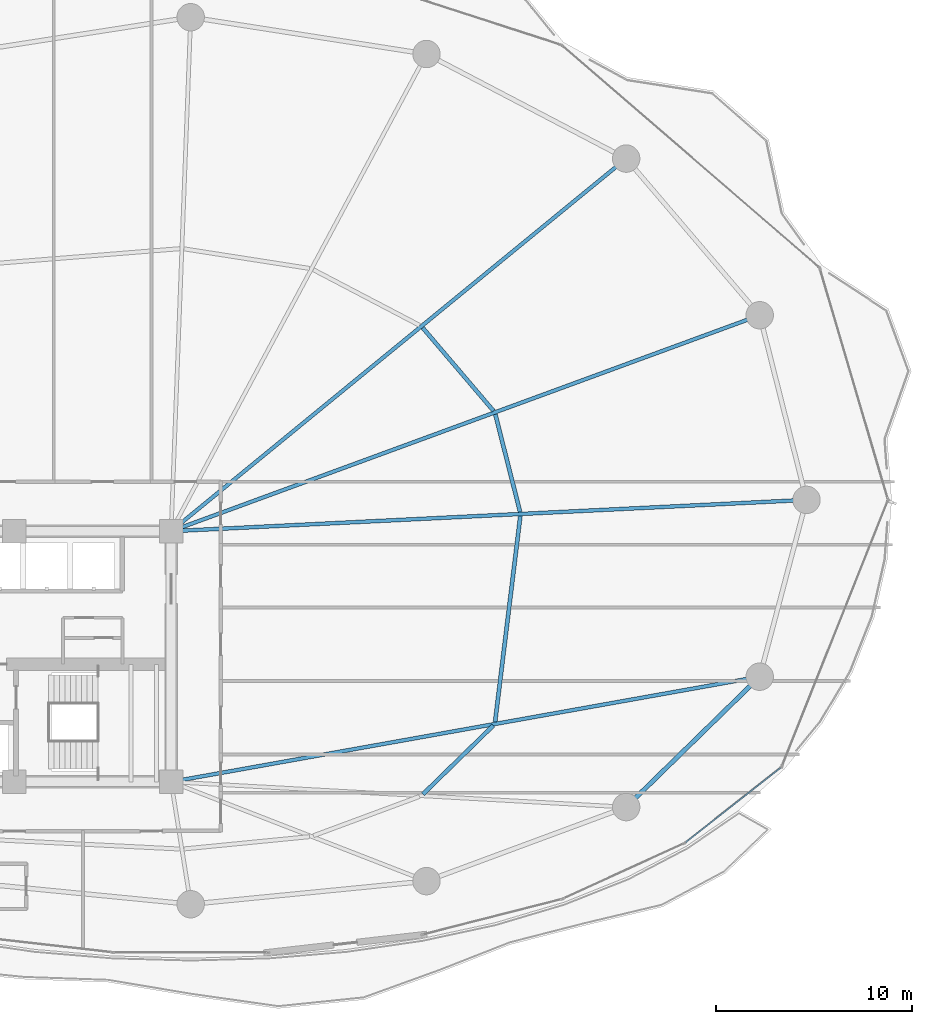
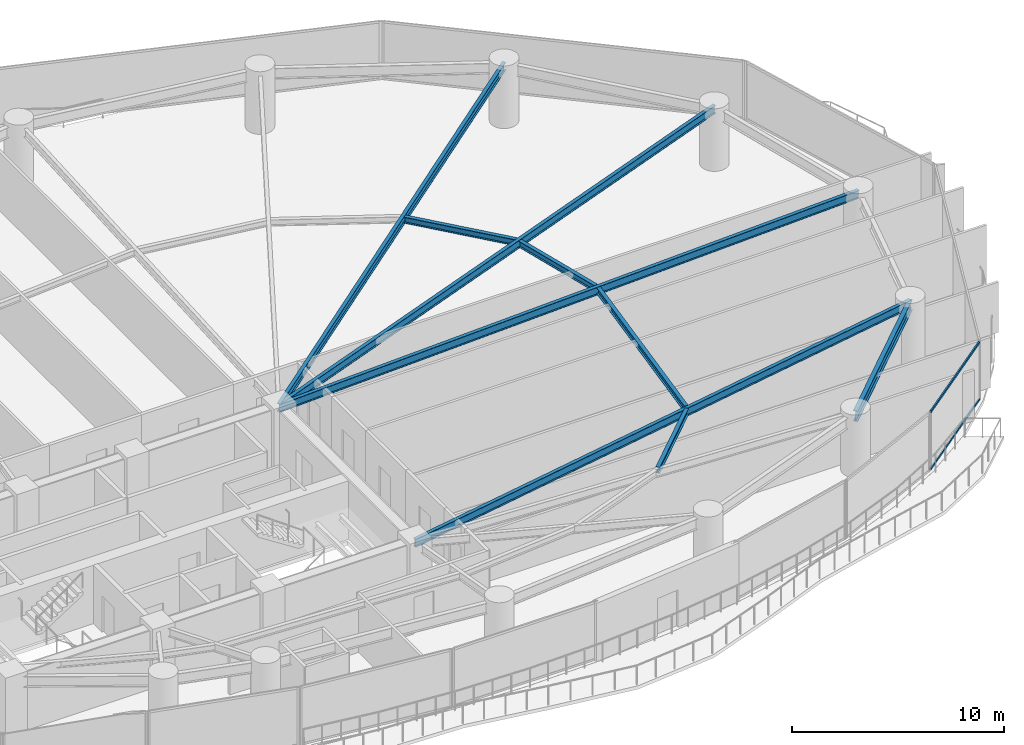
# One storey, part 14 of 34: 9 beams, 2 members, 1 element without a shape of its own.
"""IFC4 building model written with IfcOpenShell, lengths in metres."""

from ifc_helpers import new_model, si_unit, direction, frame, origin, origin_2d, place, context, subcontext, project, spatial, hollow_rectangle, i_section, extrude, material, layer, layer_set, material_profile, profile_set, type_object, element, aggregate, save


model = new_model("IFC4")

# Units and contexts
model_context = context("Model", 3, precision=1e-05, world=origin(), true_north=direction((0.0, 1.0)))
body_context = subcontext(model_context, "Body", "Model", "MODEL_VIEW")
ifc_project = project(units=[si_unit("LENGTHUNIT", "METRE"), si_unit("AREAUNIT", "SQUARE_METRE"), si_unit("VOLUMEUNIT", "CUBIC_METRE"), si_unit("PLANEANGLEUNIT", "RADIAN"), si_unit("MASSUNIT", "GRAM", prefix="KILO")], contexts=[model_context])

# Site, building, storey
site_placement = place(None, origin())
site = spatial("IfcSite", under=ifc_project, at=site_placement, CompositionType="ELEMENT")
building_placement = place(site_placement, origin())
building = spatial("IfcBuilding", under=site, at=building_placement, Name="Kazevale Care Tower and Concert Hall", CompositionType="ELEMENT")
storey_placement = place(building_placement, frame((0.0, 0.0, 67.199951171875)))
storey = spatial("IfcBuildingStorey", under=building, at=storey_placement, Name="L17", CompositionType="ELEMENT", Elevation=67.199951171875)

# Curtain wall, members
ifc_material_1 = material(Name="Aluminium 6063-T6 and Low-E Glass", Category="aluminium")
ifc_layer = layer(ifc_material_1, 0.179931640625)
ifc_layer_set = layer_set([ifc_layer], Name="Aluminium 6063-T6 and Low-E Glass")
curtain_wall_type = type_object("IfcCurtainWallType", Name="Sheltered Concave Balcony Curtain Wall CW-5", PredefinedType="NOTDEFINED", material=ifc_layer_set)
curtain_wall_placement = place(storey_placement, origin())
curtain_wall = element("IfcCurtainWall", 1, at=curtain_wall_placement, inside=storey, type_object=curtain_wall_type, Name="cw:L17:f02", PredefinedType="NOTDEFINED")
ifc_material_2 = material(Name="Aluminium 6063-T6", Category="aluminium")
ifc_material_profile_1 = material_profile(ifc_material_2, hollow_rectangle(XDim=0.074951171875, YDim=0.1201171875, WallThickness=0.00390625, at=origin_2d()), Name="ALU75x120x4")
ifc_profile_set_1 = profile_set([ifc_material_profile_1], Name="Aluminium 6063-T6")
member_type = type_object("IfcMemberType", Name="CW-5 Transom ALU75x120x4", PredefinedType="USERDEFINED", material=ifc_profile_set_1)
member_1_placement = place(storey_placement, frame((75.123046875, 24.317626953125, 0.03759765625), z_axis=(-0.78633897536, -0.617795286344, 0.0), x_axis=(0.617795286344, -0.78633897536, 0.0)))
member_1 = element("IfcMember", 2, at=member_1_placement, type_object=member_type, Name="CW-5 transom 1.1", ObjectType="TRANSOM", PredefinedType="USERDEFINED", context=body_context, shape_type="SweptSolid", body=[
    extrude(hollow_rectangle(XDim=0.074951171875, YDim=0.1201171875, WallThickness=0.00390625, at=origin_2d()), origin(), (0.0, 0.0, 1.0), 6.15771484375),
])
member_2_placement = place(storey_placement, frame((75.123046875, 24.317626953125, 3.322509765625), z_axis=(-0.78633897536, -0.617795286344, 0.0), x_axis=(0.617795286344, -0.78633897536, 0.0)))
member_2 = element("IfcMember", 3, at=member_2_placement, type_object=member_type, Name="CW-5 transom 1.2", ObjectType="TRANSOM", PredefinedType="USERDEFINED", context=body_context, shape_type="SweptSolid", body=[
    extrude(hollow_rectangle(XDim=0.074951171875, YDim=0.1201171875, WallThickness=0.00390625, at=origin_2d()), origin(), (0.0, 0.0, 1.0), 6.15771484375),
])
aggregate(curtain_wall, [member_1, member_2])

# Beams
ifc_material_3 = material(Name="Steel ASTM A572 Gr 50", Category="steel")
ifc_material_profile_2 = material_profile(ifc_material_3, i_section(OverallWidth=0.19091796875, OverallDepth=0.4599609375, WebThickness=0.010009765625, FlangeThickness=0.01611328125, at=origin_2d()), Name="W460x82")
ifc_profile_set_2 = profile_set([ifc_material_profile_2], Name="Steel ASTM A572 Gr 50")
beam_type_1 = type_object("IfcBeamType", Name="Radial Floor Beam W460x82", PredefinedType="BEAM", material=ifc_profile_set_2)
beam_1_placement = place(storey_placement, frame((44.0, 36.39990234375, 3.130126953125), z_axis=(0.998786488782, 0.049249871327, 0.0), x_axis=(-0.049249871327, 0.998786488782, 0.0)))
element("IfcBeam", 4, at=beam_1_placement, inside=storey, type_object=beam_type_1, Name="beam:L17:rad:01", PredefinedType="BEAM", context=body_context, shape_type="SweptSolid", body=[
    extrude(i_section(OverallWidth=0.19091796875, OverallDepth=0.4599609375, WebThickness=0.010009765625, FlangeThickness=0.01611328125, at=origin_2d()), origin(), (0.0, 0.0, 1.0), 32.4892578125),
])
beam_2_placement = place(storey_placement, frame((44.0, 36.39990234375, 3.130126953125), z_axis=(0.938795458019, 0.34447509054, 0.0), x_axis=(-0.34447509054, 0.938795458019, 0.0)))
element("IfcBeam", 5, at=beam_2_placement, inside=storey, type_object=beam_type_1, Name="beam:L17:rad:02", PredefinedType="BEAM", context=body_context, shape_type="SweptSolid", body=[
    extrude(i_section(OverallWidth=0.19091796875, OverallDepth=0.4599609375, WebThickness=0.010009765625, FlangeThickness=0.01611328125, at=origin_2d()), origin(), (0.0, 0.0, 1.0), 32.019775390625),
])
beam_3_placement = place(storey_placement, frame((44.0, 36.39990234375, 3.130126953125), z_axis=(0.773704467398, 0.633546681097, 0.0), x_axis=(-0.633546681097, 0.773704467398, 0.0)))
element("IfcBeam", 6, at=beam_3_placement, inside=storey, type_object=beam_type_1, Name="beam:L17:rad:03", PredefinedType="BEAM", context=body_context, shape_type="SweptSolid", body=[
    extrude(i_section(OverallWidth=0.19091796875, OverallDepth=0.4599609375, WebThickness=0.010009765625, FlangeThickness=0.01611328125, at=origin_2d()), origin(), (0.0, 0.0, 1.0), 30.037353515625),
])
beam_4_placement = place(storey_placement, frame((44.0, 23.60009765625, 3.130126953125), z_axis=(0.984416208219, 0.175854283415, 0.0), x_axis=(-0.175854283415, 0.984416208219, 0.0)))
element("IfcBeam", 7, at=beam_4_placement, inside=storey, type_object=beam_type_1, Name="beam:L17:rad:16", PredefinedType="BEAM", context=body_context, shape_type="SweptSolid", body=[
    extrude(i_section(OverallWidth=0.19091796875, OverallDepth=0.4599609375, WebThickness=0.010009765625, FlangeThickness=0.01611328125, at=origin_2d()), origin(), (0.0, 0.0, 1.0), 30.535888671875),
])
ifc_material_profile_3 = material_profile(ifc_material_3, i_section(OverallWidth=0.22900390625, OverallDepth=0.612060546875, WebThickness=0.011962890625, FlangeThickness=0.01953125, at=origin_2d()), Name="W610x125")
ifc_profile_set_3 = profile_set([ifc_material_profile_3], Name="Steel ASTM A572 Gr 50")
beam_type_2 = type_object("IfcBeamType", Name="Ring Spandrel Beam W610x125", PredefinedType="SPANDREL", material=ifc_profile_set_3)
beam_5_placement = place(storey_placement, frame((67.239990234375, 22.31005859375, 3.053955078125), z_axis=(0.715457453508, 0.698656304788, 0.0), x_axis=(-0.698656304788, 0.715457453508, 0.0)))
element("IfcBeam", 8, at=beam_5_placement, inside=storey, type_object=beam_type_2, Name="beam:L17:ring:15", PredefinedType="SPANDREL", context=body_context, shape_type="SweptSolid", body=[
    extrude(i_section(OverallWidth=0.22900390625, OverallDepth=0.612060546875, WebThickness=0.011962890625, FlangeThickness=0.01953125, at=origin_2d()), origin(), (0.0, 0.0, 1.0), 9.532470703125),
])
ifc_material_profile_4 = material_profile(ifc_material_3, i_section(OverallWidth=0.205078125, OverallDepth=0.35400390625, WebThickness=0.009521484375, FlangeThickness=0.016845703125, at=origin_2d()), Name="W360x79")
ifc_profile_set_4 = profile_set([ifc_material_profile_4], Name="Steel ASTM A572 Gr 50")
beam_type_3 = type_object("IfcBeamType", Name="Secondary Floor Joist W360x79", PredefinedType="JOIST", material=ifc_profile_set_4)
beam_6_placement = place(storey_placement, frame((61.822021484375, 37.382080078125, 3.18310546875), z_axis=(-0.24568570229, 0.969349542575, 0.0), x_axis=(-0.969349542575, -0.24568570229, 0.0)))
element("IfcBeam", 9, at=beam_6_placement, inside=storey, type_object=beam_type_3, Name="beam:L17:joist:01", PredefinedType="JOIST", context=body_context, shape_type="SweptSolid", body=[
    extrude(i_section(OverallWidth=0.205078125, OverallDepth=0.35400390625, WebThickness=0.009521484375, FlangeThickness=0.016845703125, at=origin_2d()), origin(), (0.0, 0.0, 1.0), 5.140380859375),
])
beam_7_placement = place(storey_placement, frame((60.465087890625, 42.5458984375, 3.18310546875), z_axis=(-0.648685510477, 0.761056573783, 0.0), x_axis=(-0.761056573783, -0.648685510477, 0.0)))
element("IfcBeam", 10, at=beam_7_placement, inside=storey, type_object=beam_type_3, Name="beam:L17:joist:02", PredefinedType="JOIST", context=body_context, shape_type="SweptSolid", body=[
    extrude(i_section(OverallWidth=0.205078125, OverallDepth=0.35400390625, WebThickness=0.009521484375, FlangeThickness=0.016845703125, at=origin_2d()), origin(), (0.0, 0.0, 1.0), 5.57275390625),
])
beam_8_placement = place(storey_placement, frame((56.85693359375, 22.964111328125, 3.18310546875), z_axis=(0.715521089339, 0.698591132717, 0.0), x_axis=(-0.698591132717, 0.715521089339, 0.0)))
element("IfcBeam", 11, at=beam_8_placement, inside=storey, type_object=beam_type_3, Name="beam:L17:joist:15", PredefinedType="JOIST", context=body_context, shape_type="SweptSolid", body=[
    extrude(i_section(OverallWidth=0.205078125, OverallDepth=0.35400390625, WebThickness=0.009521484375, FlangeThickness=0.016845703125, at=origin_2d()), origin(), (0.0, 0.0, 1.0), 5.03271484375),
])
beam_9_placement = place(storey_placement, frame((60.5458984375, 26.657958984375, 3.18310546875), z_axis=(0.1216468088, 0.992573450133, 0.0), x_axis=(-0.992573450133, 0.1216468088, 0.0)))
element("IfcBeam", 12, at=beam_9_placement, inside=storey, type_object=beam_type_3, Name="beam:L17:joist:16", PredefinedType="JOIST", context=body_context, shape_type="SweptSolid", body=[
    extrude(i_section(OverallWidth=0.205078125, OverallDepth=0.35400390625, WebThickness=0.009521484375, FlangeThickness=0.016845703125, at=origin_2d()), origin(), (0.0, 0.0, 1.0), 10.5966796875),
])

save(model, "model.ifc")
